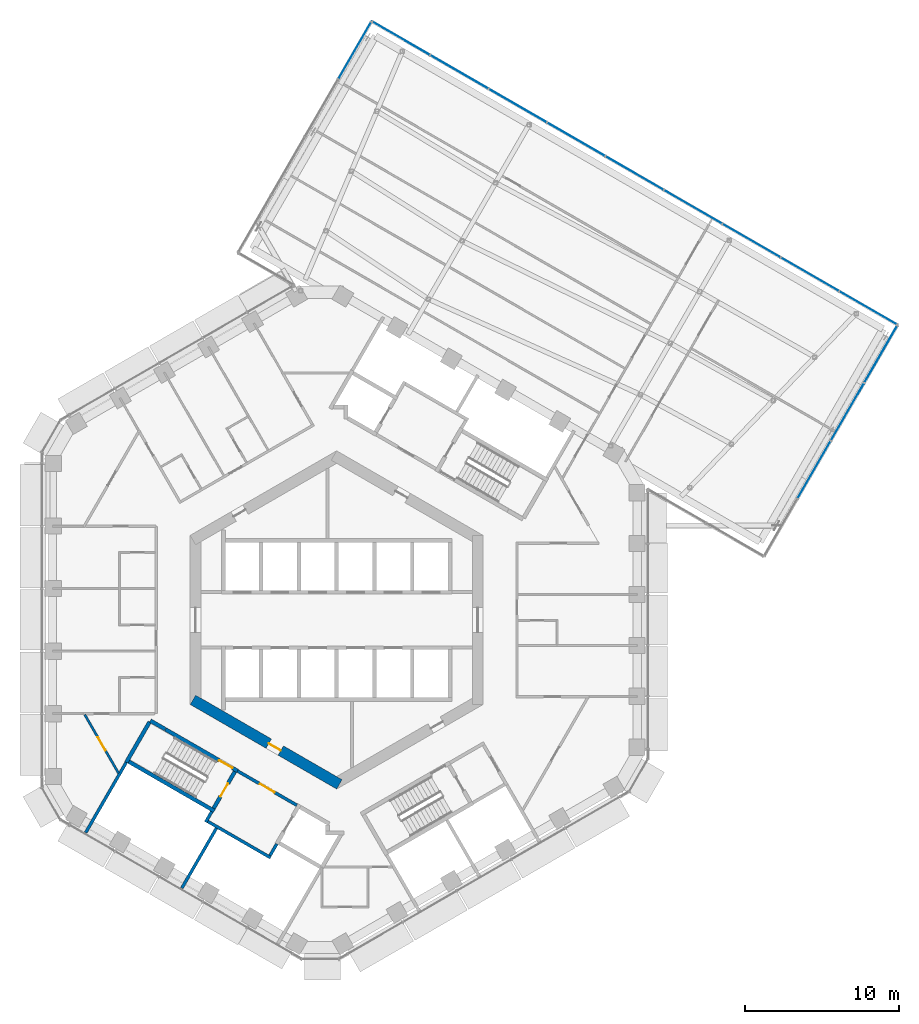
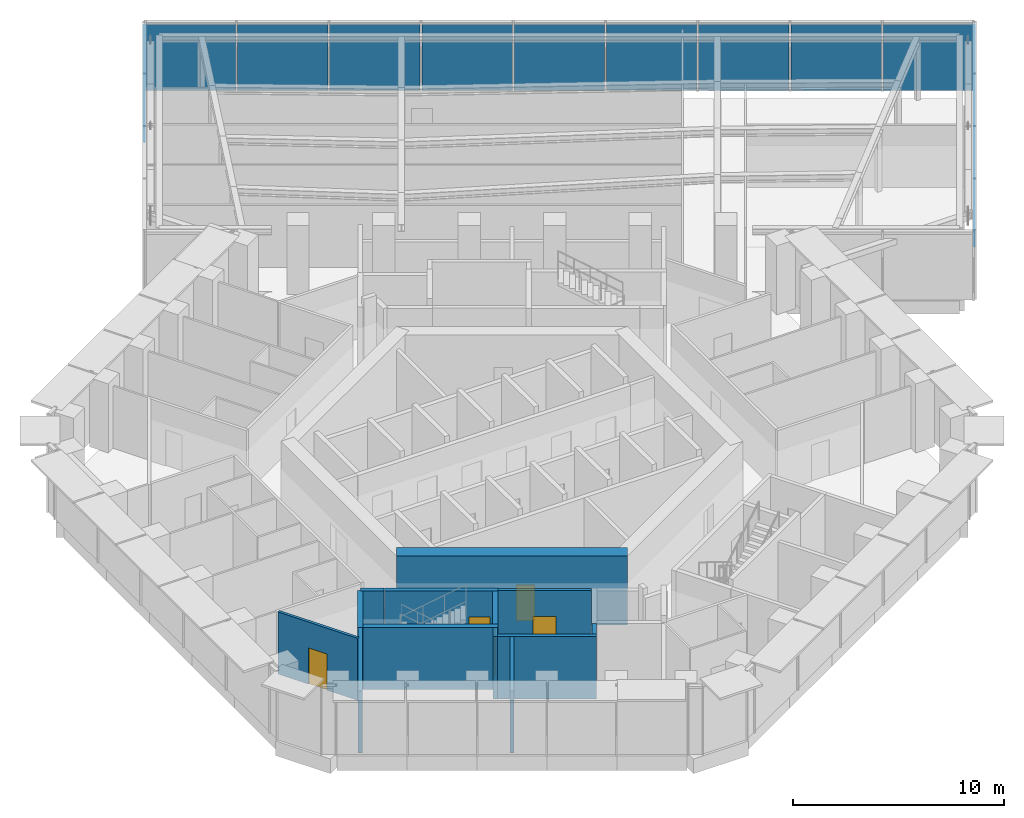
# One storey, part 18 of 28: 13 plates, 13 walls, 5 doors, 5 openings, 3 elements without a shape of their own.
"""IFC4 building model written with IfcOpenShell, lengths in metres."""

from ifc_helpers import new_model, si_unit, direction, frame, frame_2d, origin, origin_2d, place, context, subcontext, project, spatial, rectangle, extrude, material, layer, layer_set, type_object, element, fill, aggregate, save


model = new_model("IFC4")

# Units and contexts
model_context = context("Model", 3, precision=1e-05, world=origin(), true_north=direction((0.0, 1.0)))
body_context = subcontext(model_context, "Body", "Model", "MODEL_VIEW")
ifc_project = project(units=[si_unit("LENGTHUNIT", "METRE"), si_unit("AREAUNIT", "SQUARE_METRE"), si_unit("VOLUMEUNIT", "CUBIC_METRE"), si_unit("PLANEANGLEUNIT", "RADIAN"), si_unit("MASSUNIT", "GRAM", prefix="KILO")], contexts=[model_context])

# Site, building, storey
site_placement = place(None, origin())
site = spatial("IfcSite", under=ifc_project, at=site_placement, CompositionType="ELEMENT")
building_placement = place(site_placement, origin())
building = spatial("IfcBuilding", under=site, at=building_placement, Name="Ayvan Gate Tower", CompositionType="ELEMENT")
storey_placement = place(building_placement, frame((0.0, 0.0, 143.89990234375)))
storey = spatial("IfcBuildingStorey", under=building, at=storey_placement, Name="L38", CompositionType="ELEMENT", Elevation=143.89990234375)

# Curtain wall, plates
ifc_material_1 = material(Name="Bronze anodised aluminium", Category="aluminium")
ifc_layer_1 = layer(ifc_material_1, 0.199951171875)
ifc_layer_set_1 = layer_set([ifc_layer_1], Name="Bronze anodised aluminium")
curtain_wall_type = type_object("IfcCurtainWallType", Name="Stick curtain wall CW-4", PredefinedType="NOTDEFINED", material=ifc_layer_set_1)
curtain_wall_1_placement = place(storey_placement, origin())
curtain_wall_1 = element("IfcCurtainWall", 1, at=curtain_wall_1_placement, inside=storey, type_object=curtain_wall_type, Name="Stick curtain wall CW-4 L38", PredefinedType="NOTDEFINED")
ifc_material_2 = material(Name="Clear low-iron laminated glass", Category="glass")
ifc_layer_2 = layer(ifc_material_2, 0.028076171875)
ifc_layer_set_2 = layer_set([ifc_layer_2], Name="Clear low-iron laminated glass")
plate_type_1 = type_object("IfcPlateType", Name="Stick curtain wall CW-4 glass panel", PredefinedType="CURTAIN_PANEL", material=ifc_layer_set_2)
plate_1_placement = place(storey_placement, frame((30.704345703125, 22.414794921875, 0.0), z_axis=(0.0, 0.0, 1.0), x_axis=(-0.866025403784, 0.5, 0.0)))
plate_1 = element("IfcPlate", 2, at=plate_1_placement, type_object=plate_type_1, Name="CW-4 glass panel 2", PredefinedType="CURTAIN_PANEL", context=body_context, shape_type="SweptSolid", body=[
    extrude(rectangle(XDim=4.2978515625, YDim=0.028076171875, at=origin_2d()), origin(), (0.0, 0.0, 1.0), 3.860107421875),
])
plate_2_placement = place(storey_placement, frame((26.9130859375, 24.603759765625, 0.0), z_axis=(0.0, 0.0, 1.0), x_axis=(-0.866025403784, 0.5, 0.0)))
plate_2 = element("IfcPlate", 3, at=plate_2_placement, type_object=plate_type_1, Name="CW-4 glass panel 3", PredefinedType="CURTAIN_PANEL", context=body_context, shape_type="SweptSolid", body=[
    extrude(rectangle(XDim=4.2978515625, YDim=0.028076171875, at=origin_2d()), origin(), (0.0, 0.0, 1.0), 3.860107421875),
])
plate_3_placement = place(storey_placement, frame((23.121826171875, 26.79248046875, 0.0), z_axis=(0.0, 0.0, 1.0), x_axis=(-0.866025403784, 0.5, 0.0)))
plate_3 = element("IfcPlate", 4, at=plate_3_placement, type_object=plate_type_1, Name="CW-4 glass panel 4", PredefinedType="CURTAIN_PANEL", context=body_context, shape_type="SweptSolid", body=[
    extrude(rectangle(XDim=4.2978515625, YDim=0.028076171875, at=origin_2d()), origin(), (0.0, 0.0, 1.0), 3.860107421875),
])
plate_4_placement = place(storey_placement, frame((19.33056640625, 28.9814453125, 0.0), z_axis=(0.0, 0.0, 1.0), x_axis=(-0.866025403784, 0.5, 0.0)))
plate_4 = element("IfcPlate", 5, at=plate_4_placement, type_object=plate_type_1, Name="CW-4 glass panel 5", PredefinedType="CURTAIN_PANEL", context=body_context, shape_type="SweptSolid", body=[
    extrude(rectangle(XDim=4.2978515625, YDim=0.028076171875, at=origin_2d()), origin(), (0.0, 0.0, 1.0), 3.860107421875),
])
plate_5_placement = place(storey_placement, frame((15.539306640625, 31.17041015625, 0.0), z_axis=(0.0, 0.0, 1.0), x_axis=(-0.866025403784, 0.5, 0.0)))
plate_5 = element("IfcPlate", 6, at=plate_5_placement, type_object=plate_type_1, Name="CW-4 glass panel 6", PredefinedType="CURTAIN_PANEL", context=body_context, shape_type="SweptSolid", body=[
    extrude(rectangle(XDim=4.2978515625, YDim=0.028076171875, at=origin_2d()), origin(), (0.0, 0.0, 1.0), 3.860107421875),
])
plate_6_placement = place(storey_placement, frame((11.748046875, 33.359130859375, 0.0), z_axis=(0.0, 0.0, 1.0), x_axis=(-0.866025403784, 0.5, 0.0)))
plate_6 = element("IfcPlate", 7, at=plate_6_placement, type_object=plate_type_1, Name="CW-4 glass panel 7", PredefinedType="CURTAIN_PANEL", context=body_context, shape_type="SweptSolid", body=[
    extrude(rectangle(XDim=4.2978515625, YDim=0.028076171875, at=origin_2d()), origin(), (0.0, 0.0, 1.0), 3.860107421875),
])
plate_7_placement = place(storey_placement, frame((7.956787109375, 35.548095703125, 0.0), z_axis=(0.0, 0.0, 1.0), x_axis=(-0.866025403784, 0.5, 0.0)))
plate_7 = element("IfcPlate", 8, at=plate_7_placement, type_object=plate_type_1, Name="CW-4 glass panel 8", PredefinedType="CURTAIN_PANEL", context=body_context, shape_type="SweptSolid", body=[
    extrude(rectangle(XDim=4.2978515625, YDim=0.028076171875, at=origin_2d()), origin(), (0.0, 0.0, 1.0), 3.860107421875),
])

curtain_wall_2_placement = place(storey_placement, origin())
curtain_wall_2 = element("IfcCurtainWall", 9, at=curtain_wall_2_placement, inside=storey, type_object=curtain_wall_type, Name="Stick curtain wall CW-4 L38", PredefinedType="NOTDEFINED")
ifc_material_3 = material(Name="Pale anodised aluminium composite panel", Category="aluminium")
ifc_layer_3 = layer(ifc_material_3, 0.028076171875)
ifc_layer_set_3 = layer_set([ifc_layer_3], Name="Pale anodised aluminium composite panel")
plate_type_2 = type_object("IfcPlateType", Name="Stick curtain wall CW-4 solid panel", PredefinedType="CURTAIN_PANEL", material=ifc_layer_set_3)
plate_8_placement = place(storey_placement, frame((30.97265625, 9.74609375, 0.0), z_axis=(0.0, 0.0, 1.0), x_axis=(0.5, 0.866025403784, 0.0)))
plate_8 = element("IfcPlate", 10, at=plate_8_placement, type_object=plate_type_2, Name="CW-4 solid panel 2", PredefinedType="CURTAIN_PANEL", context=body_context, shape_type="SweptSolid", body=[
    extrude(rectangle(XDim=4.2548828125, YDim=0.028076171875, at=origin_2d()), origin(), (0.0, 0.0, 1.0), 3.860107421875),
])
plate_9_placement = place(storey_placement, frame((33.14013671875, 13.500244140625, 0.0), z_axis=(0.0, 0.0, 1.0), x_axis=(0.5, 0.866025403784, 0.0)))
plate_9 = element("IfcPlate", 11, at=plate_9_placement, type_object=plate_type_2, Name="CW-4 solid panel 3", PredefinedType="CURTAIN_PANEL", context=body_context, shape_type="SweptSolid", body=[
    extrude(rectangle(XDim=4.2548828125, YDim=0.028076171875, at=origin_2d()), origin(), (0.0, 0.0, 1.0), 3.860107421875),
])
plate_10_placement = place(storey_placement, frame((35.3076171875, 17.25439453125, 0.0), z_axis=(0.0, 0.0, 1.0), x_axis=(0.5, 0.866025403784, 0.0)))
plate_10 = element("IfcPlate", 12, at=plate_10_placement, type_object=plate_type_2, Name="CW-4 solid panel 4", PredefinedType="CURTAIN_PANEL", context=body_context, shape_type="SweptSolid", body=[
    extrude(rectangle(XDim=4.2548828125, YDim=0.028076171875, at=origin_2d()), origin(), (0.0, 0.0, 1.0), 3.860107421875),
])
aggregate(curtain_wall_2, [plate_8, plate_9, plate_10])

# Plate
plate_11_placement = place(storey_placement, frame((34.49560546875, 20.225830078125, 0.0), z_axis=(0.0, 0.0, 1.0), x_axis=(-0.866025403784, 0.5, 0.0)))
plate_11 = element("IfcPlate", 13, at=plate_11_placement, type_object=plate_type_2, Name="CW-4 solid panel 1", PredefinedType="CURTAIN_PANEL", context=body_context, shape_type="SweptSolid", body=[
    extrude(rectangle(XDim=4.2978515625, YDim=0.028076171875, at=origin_2d()), origin(), (0.0, 0.0, 1.0), 3.860107421875),
])

plate_12_placement = place(storey_placement, frame((4.16552734375, 37.737060546875, 0.0), z_axis=(0.0, 0.0, 1.0), x_axis=(-0.866025403784, 0.5, 0.0)))
plate_12 = element("IfcPlate", 14, at=plate_12_placement, type_object=plate_type_2, Name="CW-4 solid panel 9", PredefinedType="CURTAIN_PANEL", context=body_context, shape_type="SweptSolid", body=[
    extrude(rectangle(XDim=4.2978515625, YDim=0.028076171875, at=origin_2d()), origin(), (0.0, 0.0, 1.0), 3.860107421875),
])

aggregate(curtain_wall_1, [plate_11, plate_1, plate_2, plate_3, plate_4, plate_5, plate_6, plate_7, plate_12])

# Curtain wall, plate
curtain_wall_3_placement = place(storey_placement, origin())
curtain_wall_3 = element("IfcCurtainWall", 15, at=curtain_wall_3_placement, inside=storey, type_object=curtain_wall_type, Name="Stick curtain wall CW-4 L38", PredefinedType="NOTDEFINED")
plate_13_placement = place(storey_placement, frame((1.18603515625, 36.954345703125, 0.0), z_axis=(0.0, 0.0, 1.0), x_axis=(-0.5, -0.866025403784, 0.0)))
plate_13 = element("IfcPlate", 16, at=plate_13_placement, type_object=plate_type_2, Name="CW-4 solid panel 1", PredefinedType="CURTAIN_PANEL", context=body_context, shape_type="SweptSolid", body=[
    extrude(rectangle(XDim=4.2548828125, YDim=0.028076171875, at=origin_2d()), origin(), (0.0, 0.0, 1.0), 3.860107421875),
])
aggregate(curtain_wall_3, [plate_13])

# Wall, opening, door
ifc_material_4 = material(Name="Concrete C70/85", Category="concrete")
ifc_layer_4 = layer(ifc_material_4, 0.699951171875)
ifc_layer_set_4 = layer_set([ifc_layer_4], Name="Concrete C70/85")
wall_type_1 = type_object("IfcWallType", Name="Core wall 700 C70/85", PredefinedType="SHEAR", material=ifc_layer_set_4)
wall_1_placement = place(storey_placement, frame((-9.324951171875, -5.181640625, 0.0), z_axis=(0.0, 0.0, 1.0), x_axis=(0.866023993627, -0.500002442456, 0.0)))
wall_1 = element("IfcWall", 17, at=wall_1_placement, inside=storey, type_object=wall_type_1, Name="CORE-L38-4", PredefinedType="SHEAR", context=body_context, shape_type="SweptSolid", body=[
    extrude(rectangle(XDim=10.9697265625, YDim=0.699951171875, at=frame_2d((5.48486328125, 0.0))), origin(), (0.0, 0.0, 1.0), 4.0),
])
opening_1_placement = place(wall_1_placement, frame((5.68212890625, 0.0, 0.0)))
opening_1 = element("IfcOpeningElement", 18, at=opening_1_placement, cuts=wall_1, Name="Opening L38-D53", PredefinedType="OPENING", context=body_context, shape_type="SweptSolid", body=[
    extrude(rectangle(XDim=0.89990234375, YDim=2.10009765625, at=frame_2d((0.449951171875, 1.050048828125))), frame((0.0, 0.35986328125, 0.0), z_axis=(0.0, -1.0, 0.0), x_axis=(1.0, 0.0, 0.0)), (0.0, 0.0, 1.0), 0.719970703125),
])
ifc_material_5 = material(Name="Timber door leaf", Category="wood")
door_type_1 = type_object("IfcDoorType", Name="DT-900", OperationType="NOTDEFINED", PredefinedType="DOOR", material=ifc_material_5)
door_1_placement = place(opening_1_placement, origin())
door_1 = element("IfcDoor", 19, at=door_1_placement, inside=storey, type_object=door_type_1, Name="CD-L38-53", OperationType="SINGLE_SWING_LEFT", OverallHeight=2.10009765625, OverallWidth=0.89990234375, PredefinedType="DOOR", context=body_context, shape_type="SweptSolid", body=[
    extrude(rectangle(XDim=0.89990234375, YDim=2.10009765625, at=frame_2d((0.449951171875, 1.050048828125))), frame((0.0, 0.02490234375, 0.0), z_axis=(0.0, -1.0, 0.0), x_axis=(1.0, 0.0, 0.0)), (0.0, 0.0, 1.0), 0.050048828125),
])
fill(opening_1, door_1)

ifc_material_6 = material(Name="Plasterboard on steel stud", Category="steel")
ifc_layer_5 = layer(ifc_material_6, 0.14990234375)
ifc_layer_set_5 = layer_set([ifc_layer_5], Name="Plasterboard on steel stud")
wall_type_2 = type_object("IfcWallType", Name="WT-CORR-150", PredefinedType="PARTITIONING", material=ifc_layer_set_5)
wall_2_placement = place(storey_placement, frame((-14.150634765625, -9.9365234375, 0.0), z_axis=(0.0, 0.0, 1.0), x_axis=(-0.500029633093, 0.866008294434, 0.0)))
wall_2 = element("IfcWall", 20, at=wall_2_placement, inside=storey, type_object=wall_type_2, Name="IW-L38-005", PredefinedType="PARTITIONING", context=body_context, shape_type="SweptSolid", body=[
    extrude(rectangle(XDim=4.380126953125, YDim=0.14990234375, at=frame_2d((2.18994140625, 0.0))), origin(), (0.0, 0.0, 1.0), 3.60009765625),
])
opening_2_placement = place(wall_2_placement, frame((1.68994140625, 0.0, 0.0)))
opening_2 = element("IfcOpeningElement", 21, at=opening_2_placement, cuts=wall_2, Name="Opening L38-D34", PredefinedType="OPENING", context=body_context, shape_type="SweptSolid", body=[
    extrude(rectangle(XDim=1.0, YDim=2.10009765625, at=frame_2d((0.5, 1.050048828125))), frame((0.0, 0.0849609375, 0.0), z_axis=(0.0, -1.0, 0.0), x_axis=(1.0, 0.0, 0.0)), (0.0, 0.0, 1.0), 0.169921875),
])
door_type_2 = type_object("IfcDoorType", Name="DT-1000", OperationType="NOTDEFINED", PredefinedType="DOOR", material=ifc_material_5)
door_2_placement = place(opening_2_placement, origin())
door_2 = element("IfcDoor", 22, at=door_2_placement, inside=storey, type_object=door_type_2, Name="ID-L38-034", OperationType="SINGLE_SWING_RIGHT", OverallHeight=2.10009765625, OverallWidth=1.0, PredefinedType="DOOR", context=body_context, shape_type="SweptSolid", body=[
    extrude(rectangle(XDim=1.0, YDim=2.10009765625, at=frame_2d((0.5, 1.050048828125))), frame((0.0, 0.02490234375, 0.0), z_axis=(0.0, -1.0, 0.0), x_axis=(1.0, 0.0, 0.0)), (0.0, 0.0, 1.0), 0.050048828125),
])
fill(opening_2, door_2)

# Walls
ifc_layer_6 = layer(ifc_material_6, 0.199951171875)
ifc_layer_set_6 = layer_set([ifc_layer_6], Name="Plasterboard on steel stud")
wall_type_3 = type_object("IfcWallType", Name="WT-PLUMB-200", PredefinedType="PLUMBINGWALL", material=ifc_layer_set_6)
wall_3_placement = place(storey_placement, frame((-16.276123046875, -13.791259765625, 0.0), z_axis=(0.0, 0.0, 1.0), x_axis=(0.499970375258, 0.866042506961, 0.0)))
element("IfcWall", 23, at=wall_3_placement, inside=storey, type_object=wall_type_3, Name="IW-L38-004", PredefinedType="PLUMBINGWALL", context=body_context, shape_type="SweptSolid", body=[
    extrude(rectangle(XDim=5.256591796875, YDim=0.199951171875, at=frame_2d((2.62841796875, 0.0))), origin(), (0.0, 0.0, 1.0), 3.60009765625),
])
wall_4_placement = place(storey_placement, frame((-8.492919921875, -13.110107421875, 0.0), z_axis=(0.0, 0.0, 1.0), x_axis=(0.500067724834, 0.865986299303, 0.0)))
element("IfcWall", 24, at=wall_4_placement, inside=storey, type_object=wall_type_3, Name="IW-L38-024", PredefinedType="PLUMBINGWALL", context=body_context, shape_type="SweptSolid", body=[
    extrude(rectangle(XDim=0.775390625, YDim=0.199951171875, at=frame_2d((0.3876953125, 0.0))), origin(), (0.0, 0.0, 1.0), 3.60009765625),
])
wall_5_placement = place(storey_placement, frame((-7.800048828125, -13.510009765625, 0.0), z_axis=(0.0, 0.0, 1.0), x_axis=(-0.499994393058, -0.866028640929, 0.0)))
element("IfcWall", 25, at=wall_5_placement, inside=storey, type_object=wall_type_3, Name="IW-L38-026", PredefinedType="PLUMBINGWALL", context=body_context, shape_type="SweptSolid", body=[
    extrude(rectangle(XDim=4.4814453125, YDim=0.199951171875, at=frame_2d((2.24072265625, 0.0))), origin(), (0.0, 0.0, 1.0), 3.60009765625),
])
wall_6_placement = place(storey_placement, frame((-8.356201171875, -13.073486328125, 0.0), z_axis=(0.0, 0.0, 1.0), x_axis=(0.866038532462, -0.499977259774, 0.0)))
element("IfcWall", 26, at=wall_6_placement, inside=storey, type_object=wall_type_3, Name="IW-L38-027", PredefinedType="PLUMBINGWALL", context=body_context, shape_type="SweptSolid", body=[
    extrude(rectangle(XDim=4.699951171875, YDim=0.199951171875, at=frame_2d((2.35009765625, 0.0))), origin(), (0.0, 0.0, 1.0), 3.60009765625),
])
wall_7_placement = place(storey_placement, frame((-3.885009765625, -14.52880859375, 0.0), z_axis=(0.0, 0.0, 1.0), x_axis=(-0.499859285417, -0.866106630146, 0.0)))
element("IfcWall", 27, at=wall_7_placement, inside=storey, type_object=wall_type_3, Name="IW-L38-045", PredefinedType="PLUMBINGWALL", context=body_context, shape_type="SweptSolid", body=[
    extrude(rectangle(XDim=0.875244140625, YDim=0.199951171875, at=frame_2d((0.4375, 0.0))), origin(), (0.0, 0.0, 1.0), 3.60009765625),
])

# Wall, opening, door
ifc_layer_7 = layer(ifc_material_6, 0.199951171875)
ifc_layer_set_7 = layer_set([ifc_layer_7], Name="Plasterboard on steel stud")
wall_type_4 = type_object("IfcWallType", Name="WT-RATED-200", PredefinedType="PARTITIONING", material=ifc_layer_set_7)
wall_8_placement = place(storey_placement, frame((-6.4345703125, -9.794921875, 0.0), z_axis=(0.0, 0.0, 1.0), x_axis=(0.866012907634, -0.500021643343, 0.0)))
wall_8 = element("IfcWall", 28, at=wall_8_placement, inside=storey, type_object=wall_type_4, Name="IW-L38-036", PredefinedType="PARTITIONING", context=body_context, shape_type="SweptSolid", body=[
    extrude(rectangle(XDim=4.449951171875, YDim=0.199951171875, at=frame_2d((2.22509765625, 0.0))), origin(), (0.0, 0.0, 1.0), 3.60009765625),
])
opening_3_placement = place(wall_8_placement, frame((1.675048828125, 0.0, 0.0)))
opening_3 = element("IfcOpeningElement", 29, at=opening_3_placement, cuts=wall_8, Name="Opening L38-D18", PredefinedType="OPENING", context=body_context, shape_type="SweptSolid", body=[
    extrude(rectangle(XDim=1.10009765625, YDim=2.10009765625, at=frame_2d((0.550048828125, 1.050048828125))), frame((0.0, 0.10986328125, 0.0), z_axis=(0.0, -1.0, 0.0), x_axis=(1.0, 0.0, 0.0)), (0.0, 0.0, 1.0), 0.219970703125),
])
door_type_3 = type_object("IfcDoorType", Name="DT-1100", OperationType="NOTDEFINED", PredefinedType="DOOR", material=ifc_material_5)
door_3_placement = place(opening_3_placement, origin())
door_3 = element("IfcDoor", 30, at=door_3_placement, inside=storey, type_object=door_type_3, Name="ID-L38-018", OperationType="SINGLE_SWING_RIGHT", OverallHeight=2.10009765625, OverallWidth=1.10009765625, PredefinedType="DOOR", context=body_context, shape_type="SweptSolid", body=[
    extrude(rectangle(XDim=1.10009765625, YDim=2.10009765625, at=frame_2d((0.550048828125, 1.050048828125))), frame((0.0, 0.02490234375, 0.0), z_axis=(0.0, -1.0, 0.0), x_axis=(1.0, 0.0, 0.0)), (0.0, 0.0, 1.0), 0.050048828125),
])
fill(opening_3, door_3)

# Walls
ifc_material_7 = material(Name="Concrete C50/60", Category="concrete")
ifc_layer_8 = layer(ifc_material_7, 0.25)
ifc_layer_set_8 = layer_set([ifc_layer_8], Name="Concrete C50/60")
wall_type_5 = type_object("IfcWallType", Name="WT-RC-250", PredefinedType="SHEAR", material=ifc_layer_set_8)
wall_9_placement = place(storey_placement, frame((-13.64794921875, -9.23876953125, 0.0), z_axis=(0.0, 0.0, 1.0), x_axis=(0.50000556753, 0.866022189346, 0.0)))
element("IfcWall", 31, at=wall_9_placement, inside=storey, type_object=wall_type_5, Name="IW-L38-011", PredefinedType="SHEAR", context=body_context, shape_type="SweptSolid", body=[
    extrude(rectangle(XDim=3.03564453125, YDim=0.25, at=frame_2d((1.517822265625, 0.0))), origin(), (0.0, 0.0, 1.0), 3.60009765625),
])
wall_10_placement = place(storey_placement, frame((-12.08544921875, -6.532470703125, 0.0), z_axis=(0.0, 0.0, 1.0), x_axis=(0.86604373436, -0.499968249168, 0.0)))
element("IfcWall", 32, at=wall_10_placement, inside=storey, type_object=wall_type_5, Name="IW-L38-013", PredefinedType="SHEAR", context=body_context, shape_type="SweptSolid", body=[
    extrude(rectangle(XDim=1.11767578125, YDim=0.25, at=frame_2d((0.558837890625, 0.0))), origin(), (0.0, 0.0, 1.0), 3.60009765625),
])

# Wall, opening, door
wall_11_placement = place(storey_placement, frame((-11.10009765625, -7.101318359375, 0.0), z_axis=(0.0, 0.0, 1.0), x_axis=(0.866028615007, -0.499994437958, 0.0)))
wall_11 = element("IfcWall", 33, at=wall_11_placement, inside=storey, type_object=wall_type_5, Name="IW-L38-019", PredefinedType="SHEAR", context=body_context, shape_type="SweptSolid", body=[
    extrude(rectangle(XDim=5.38720703125, YDim=0.25, at=frame_2d((2.693603515625, 0.0))), origin(), (0.0, 0.0, 1.0), 3.60009765625),
])
opening_4_placement = place(wall_11_placement, frame((4.01220703125, 0.0, 0.0)))
opening_4 = element("IfcOpeningElement", 34, at=opening_4_placement, cuts=wall_11, Name="Opening L38-D16", PredefinedType="OPENING", context=body_context, shape_type="SweptSolid", body=[
    extrude(rectangle(XDim=1.0, YDim=2.10009765625, at=frame_2d((0.5, 1.050048828125))), frame((0.0, 0.135009765625, 0.0), z_axis=(0.0, -1.0, 0.0), x_axis=(1.0, 0.0, 0.0)), (0.0, 0.0, 1.0), 0.27001953125),
])
door_4_placement = place(opening_4_placement, origin())
door_4 = element("IfcDoor", 35, at=door_4_placement, inside=storey, type_object=door_type_2, Name="ID-L38-016", OperationType="SINGLE_SWING_RIGHT", OverallHeight=2.10009765625, OverallWidth=1.0, PredefinedType="DOOR", context=body_context, shape_type="SweptSolid", body=[
    extrude(rectangle(XDim=1.0, YDim=2.10009765625, at=frame_2d((0.5, 1.050048828125))), frame((0.0, 0.02490234375, 0.0), z_axis=(0.0, -1.0, 0.0), x_axis=(1.0, 0.0, 0.0)), (0.0, 0.0, 1.0), 0.050048828125),
])
fill(opening_4, door_4)

# Wall
wall_12_placement = place(storey_placement, frame((-7.9345703125, -12.39306640625, 0.0), z_axis=(0.0, 0.0, 1.0), x_axis=(-0.866025499775, 0.499999833739, 0.0)))
element("IfcWall", 36, at=wall_12_placement, inside=storey, type_object=wall_type_5, Name="IW-L38-025", PredefinedType="SHEAR", context=body_context, shape_type="SweptSolid", body=[
    extrude(rectangle(XDim=6.39990234375, YDim=0.25, at=frame_2d((3.199951171875, 0.0))), origin(), (0.0, 0.0, 1.0), 3.60009765625),
])

# Wall, opening, door
wall_13_placement = place(storey_placement, frame((-6.605224609375, -9.8408203125, 0.0), z_axis=(0.0, 0.0, 1.0), x_axis=(-0.499996545922, -0.866027397988, 0.0)))
wall_13 = element("IfcWall", 37, at=wall_13_placement, inside=storey, type_object=wall_type_5, Name="IW-L38-035", PredefinedType="SHEAR", context=body_context, shape_type="SweptSolid", body=[
    extrude(rectangle(XDim=2.75, YDim=0.25, at=frame_2d((1.375, 0.0))), origin(), (0.0, 0.0, 1.0), 3.60009765625),
])
opening_5_placement = place(wall_13_placement, frame((0.875, 0.0, 0.0)))
opening_5 = element("IfcOpeningElement", 38, at=opening_5_placement, cuts=wall_13, Name="Opening L38-D17", PredefinedType="OPENING", context=body_context, shape_type="SweptSolid", body=[
    extrude(rectangle(XDim=1.0, YDim=2.10009765625, at=frame_2d((0.5, 1.050048828125))), frame((0.0, 0.135009765625, 0.0), z_axis=(0.0, -1.0, 0.0), x_axis=(1.0, 0.0, 0.0)), (0.0, 0.0, 1.0), 0.27001953125),
])
door_5_placement = place(opening_5_placement, origin())
door_5 = element("IfcDoor", 39, at=door_5_placement, inside=storey, type_object=door_type_2, Name="ID-L38-017", OperationType="SINGLE_SWING_LEFT", OverallHeight=2.10009765625, OverallWidth=1.0, PredefinedType="DOOR", context=body_context, shape_type="SweptSolid", body=[
    extrude(rectangle(XDim=1.0, YDim=2.10009765625, at=frame_2d((0.5, 1.050048828125))), frame((0.0, 0.02490234375, 0.0), z_axis=(0.0, -1.0, 0.0), x_axis=(1.0, 0.0, 0.0)), (0.0, 0.0, 1.0), 0.050048828125),
])
fill(opening_5, door_5)

save(model, "model.ifc")
